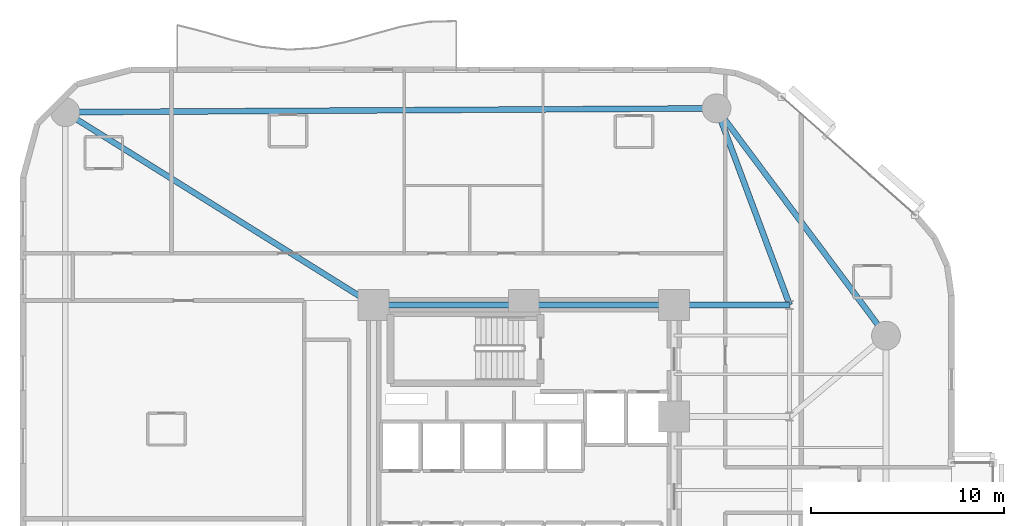
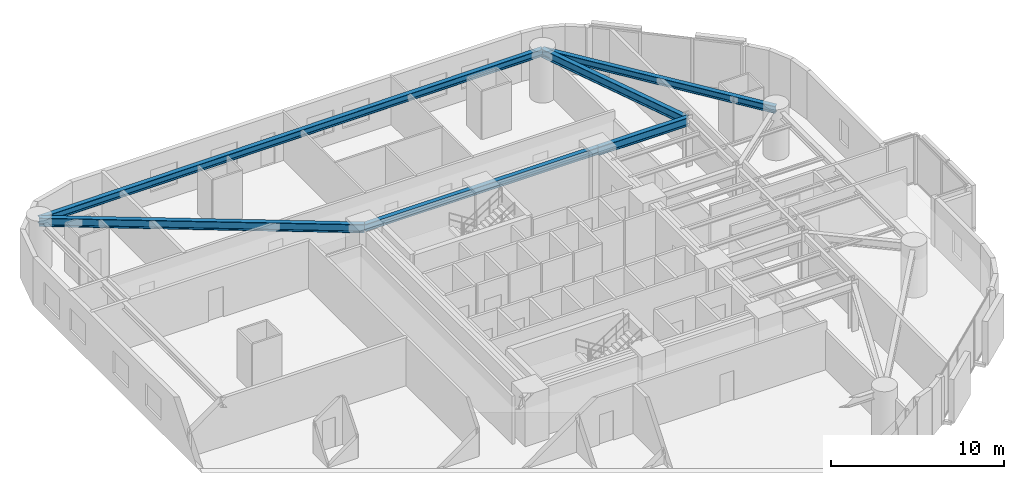
# One storey, part 7 of 17: 6 beams.
"""IFC4 building model written with IfcOpenShell, lengths in metres."""

from ifc_helpers import new_model, si_unit, direction, frame, origin, origin_2d, place, context, subcontext, project, spatial, i_section, extrude, material, material_profile, profile_set, type_object, element, save


model = new_model("IFC4")

# Units and contexts
model_context = context("Model", 3, precision=1e-05, world=origin(), true_north=direction((0.0, 1.0)))
body_context = subcontext(model_context, "Body", "Model", "MODEL_VIEW")
ifc_project = project(units=[si_unit("LENGTHUNIT", "METRE"), si_unit("AREAUNIT", "SQUARE_METRE"), si_unit("VOLUMEUNIT", "CUBIC_METRE"), si_unit("PLANEANGLEUNIT", "RADIAN"), si_unit("MASSUNIT", "GRAM", prefix="KILO")], contexts=[model_context])

# Site, building, storey
site_placement = place(None, origin())
site = spatial("IfcSite", under=ifc_project, at=site_placement, CompositionType="ELEMENT")
building_placement = place(site_placement, origin())
building = spatial("IfcBuilding", under=site, at=building_placement, Name="An Khanh Terracotta Commons", CompositionType="ELEMENT")
storey_placement = place(building_placement, frame((0.0, 0.0, 36.0)))
storey = spatial("IfcBuildingStorey", under=building, at=storey_placement, Name="L09", CompositionType="ELEMENT", Elevation=36.0)

# Beams
ifc_material = material(Name="Steel S355J2", Category="steel")
ifc_material_profile_1 = material_profile(ifc_material, i_section(OverallWidth=0.300048828125, OverallDepth=0.5, WebThickness=0.014404296875, FlangeThickness=0.028076171875, FilletRadius=0.027099609375, at=origin_2d()), Name="HEB500")
ifc_profile_set_1 = profile_set([ifc_material_profile_1], Name="Steel S355J2")
beam_type_1 = type_object("IfcBeamType", Name="BM-HEB500", PredefinedType="BEAM", material=ifc_profile_set_1)
beam_1_placement = place(storey_placement, frame((21.60009765625, 33.60009765625, 3.14990234375), z_axis=(1.0, 0.0, 0.0), x_axis=(0.0, 1.0, 0.0)))
element("IfcBeam", 1, at=beam_1_placement, inside=storey, type_object=beam_type_1, Name="L09 Core North Coupling Girder", PredefinedType="BEAM", context=body_context, shape_type="SweptSolid", body=[
    extrude(i_section(OverallWidth=0.300048828125, OverallDepth=0.5, WebThickness=0.014404296875, FlangeThickness=0.028076171875, FilletRadius=0.027099609375, at=origin_2d()), origin(), (0.0, 0.0, 1.0), 15.599853515625),
])
beam_2_placement = place(storey_placement, frame((48.199951171875, 32.0, 3.14990234375), z_axis=(-0.59782442166, 0.801627070942, 0.0), x_axis=(-0.801627070942, -0.59782442166, 0.0)))
element("IfcBeam", 2, at=beam_2_placement, inside=storey, type_object=beam_type_1, Name="L09 Perimeter Ring Spandrel 4", PredefinedType="BEAM", context=body_context, shape_type="SweptSolid", body=[
    extrude(i_section(OverallWidth=0.300048828125, OverallDepth=0.5, WebThickness=0.014404296875, FlangeThickness=0.028076171875, FilletRadius=0.027099609375, at=origin_2d()), origin(), (0.0, 0.0, 1.0), 14.72021484375),
])
beam_3_placement = place(storey_placement, frame((39.39990234375, 43.800048828125, 3.14990234375), z_axis=(-0.999982502414, -0.005915645817, 0.0), x_axis=(0.005915645817, -0.999982502414, 0.0)))
element("IfcBeam", 3, at=beam_3_placement, inside=storey, type_object=beam_type_1, Name="L09 Perimeter Ring Spandrel 5", PredefinedType="BEAM", context=body_context, shape_type="SweptSolid", body=[
    extrude(i_section(OverallWidth=0.300048828125, OverallDepth=0.5, WebThickness=0.014404296875, FlangeThickness=0.028076171875, FilletRadius=0.027099609375, at=origin_2d()), origin(), (0.0, 0.0, 1.0), 33.80029296875),
])
ifc_material_profile_2 = material_profile(ifc_material, i_section(OverallWidth=0.300048828125, OverallDepth=0.60009765625, WebThickness=0.015380859375, FlangeThickness=0.030029296875, FilletRadius=0.027099609375, at=origin_2d()), Name="HEB600")
ifc_profile_set_2 = profile_set([ifc_material_profile_2], Name="Steel S355J2")
beam_type_2 = type_object("IfcBeamType", Name="BM-HEB600", PredefinedType="BEAM", material=ifc_profile_set_2)
beam_4_placement = place(storey_placement, frame((37.199951171875, 33.60009765625, 3.10009765625), z_axis=(1.0, 0.0, 0.0), x_axis=(0.0, 1.0, 0.0)))
element("IfcBeam", 4, at=beam_4_placement, inside=storey, type_object=beam_type_2, Name="L09 East Primary Floor Girder 4", PredefinedType="BEAM", context=body_context, shape_type="SweptSolid", body=[
    extrude(i_section(OverallWidth=0.300048828125, OverallDepth=0.60009765625, WebThickness=0.015380859375, FlangeThickness=0.030029296875, FilletRadius=0.027099609375, at=origin_2d()), origin(), (0.0, 0.0, 1.0), 6.0),
])
beam_5_placement = place(storey_placement, frame((39.39990234375, 43.800048828125, 3.10009765625), z_axis=(0.349114429862, -0.937080100558, 0.0), x_axis=(0.937080100558, 0.349114429862, 0.0)))
element("IfcBeam", 5, at=beam_5_placement, inside=storey, type_object=beam_type_2, Name="L09 Mega-Column Tie Girder 5", PredefinedType="BEAM", context=body_context, shape_type="SweptSolid", body=[
    extrude(i_section(OverallWidth=0.300048828125, OverallDepth=0.60009765625, WebThickness=0.015380859375, FlangeThickness=0.030029296875, FilletRadius=0.027099609375, at=origin_2d()), origin(), (0.0, 0.0, 1.0), 10.884765625),
])
beam_6_placement = place(storey_placement, frame((5.60009765625, 43.60009765625, 3.10009765625), z_axis=(0.847998304005, -0.529998940003, 0.0), x_axis=(0.529998940003, 0.847998304005, 0.0)))
element("IfcBeam", 6, at=beam_6_placement, inside=storey, type_object=beam_type_2, Name="L09 Mega-Column Tie Girder 6", PredefinedType="BEAM", context=body_context, shape_type="SweptSolid", body=[
    extrude(i_section(OverallWidth=0.300048828125, OverallDepth=0.60009765625, WebThickness=0.015380859375, FlangeThickness=0.030029296875, FilletRadius=0.027099609375, at=origin_2d()), origin(), (0.0, 0.0, 1.0), 18.867919921875),
])

save(model, "model.ifc")
